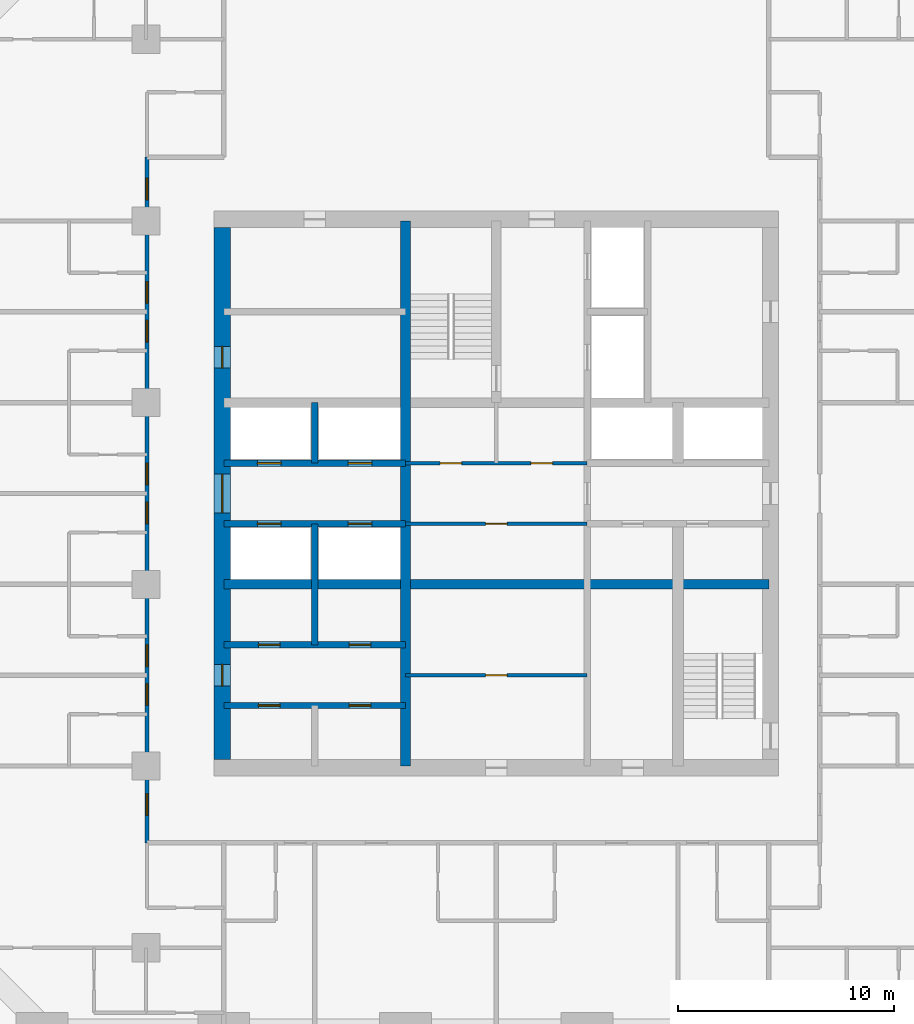
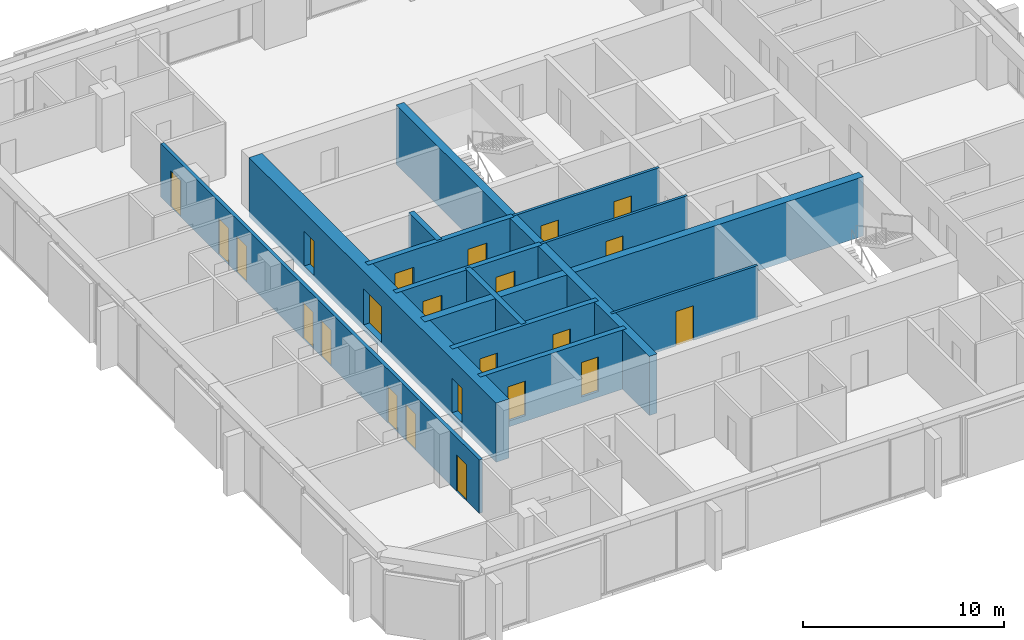
# One storey, part 9 of 13: 23 doors, 13 walls, 23 openings.
"""IFC4 building model written with IfcOpenShell, lengths in metres."""

import ifcopenshell
import ifcopenshell.guid

model = None  # the IFC model being written
_history = None  # IfcOwnerHistory: only IFC2X3 demands one
_inside = {}  # id of a spatial element -> (the spatial element, [elements in it])
_under = {}  # id of a project, library or spatial element -> (it, [spatial elements below it])
_declared = {}  # id of a project -> (the project, [libraries it declares])
_typed = {}  # id of a type object -> (the type object, [elements of that type])
_made_of = {}  # id of a material, layer set ... -> (it, [elements and type objects made of it])


def new_model(schema):
    """Start an empty IFC model of exactly this schema.

    Asked for "IFC4X3", IfcOpenShell would pick the latest addendum, in which some entities
    have other attributes; the version numbers below select the first issue.
    IFC2X3 requires an IfcOwnerHistory on every rooted entity: one is made here for all.
    """
    global model, _history
    if schema == "IFC4X3":
        model = ifcopenshell.file(schema_version=(4, 3, 0, 0))
    else:
        model = ifcopenshell.file(schema=schema)
    _inside.clear()
    _under.clear()
    _declared.clear()
    _typed.clear()
    _made_of.clear()
    _history = None
    if model.schema == "IFC2X3":
        org = make("IfcOrganization", Name="unknown")
        user = make(
            "IfcPersonAndOrganization",
            ThePerson=make("IfcPerson", FamilyName="unknown"),
            TheOrganization=org,
        )
        app = make(
            "IfcApplication",
            ApplicationDeveloper=org,
            Version="unknown",
            ApplicationFullName="unknown",
            ApplicationIdentifier="unknown",
        )
        _history = make(
            "IfcOwnerHistory",
            OwningUser=user,
            OwningApplication=app,
            ChangeAction="ADDED",
            CreationDate=0,
        )
    return model


def make(cls, **values):
    """One entity of the class cls with the attributes given. An attribute that is None is left unset."""
    return model.create_entity(
        cls, **{name: value for name, value in values.items() if value is not None}
    )


def rooted(cls, **values):
    """An entity with a GlobalId (a new one), such as an element, a storey or a relation."""
    return make(cls, GlobalId=ifcopenshell.guid.new(), OwnerHistory=_history, **values)


def si_unit(unit_type, name, prefix=None):
    """IfcSIUnit, for example si_unit("LENGTHUNIT", "METRE", prefix="MILLI")."""
    return make("IfcSIUnit", UnitType=unit_type, Prefix=prefix, Name=name)


def assignment(units):
    """IfcUnitAssignment: the units of a project."""
    return None if units is None else make("IfcUnitAssignment", Units=units)


def point(xyz):
    """IfcCartesianPoint."""
    return None if xyz is None else make("IfcCartesianPoint", Coordinates=xyz)


def direction(xyz):
    """IfcDirection."""
    return None if xyz is None else make("IfcDirection", DirectionRatios=xyz)


def frame(location, z_axis=None, x_axis=None):
    """IfcAxis2Placement3D, a coordinate frame: its origin and axes. An axis left out is left unset."""
    return make(
        "IfcAxis2Placement3D",
        Location=point(location),
        Axis=direction(z_axis),
        RefDirection=direction(x_axis),
    )


def frame_2d(location, x_axis=None):
    """IfcAxis2Placement2D, a coordinate frame in the plane: its origin and x axis."""
    return make(
        "IfcAxis2Placement2D", Location=point(location), RefDirection=direction(x_axis)
    )


def origin():
    """The frame at (0, 0, 0) with its axes left unset."""
    return frame((0.0, 0.0, 0.0))


def place(relative_to, where):
    """IfcLocalPlacement: puts the frame where relative to a parent placement (None: the world)."""
    return make(
        "IfcLocalPlacement", PlacementRelTo=relative_to, RelativePlacement=where
    )


def context(
    kind, dimensions, precision=None, world=None, true_north=None, identifier=None
):
    """IfcGeometricRepresentationContext, for example the 3D "Model" context."""
    return make(
        "IfcGeometricRepresentationContext",
        ContextIdentifier=identifier,
        ContextType=kind,
        CoordinateSpaceDimension=dimensions,
        Precision=precision,
        WorldCoordinateSystem=world,
        TrueNorth=true_north,
    )


def subcontext(parent, identifier, kind, view, scale=None):
    """IfcGeometricRepresentationSubContext, for example "Body" below "Model"."""
    return make(
        "IfcGeometricRepresentationSubContext",
        ContextIdentifier=identifier,
        ContextType=kind,
        ParentContext=parent,
        TargetScale=scale,
        TargetView=view,
    )


def project(units=None, contexts=None):
    """IfcProject with its units and contexts."""
    return rooted(
        "IfcProject",
        Name="project",
        RepresentationContexts=contexts,
        UnitsInContext=assignment(units),
    )


def spatial(cls, under=None, at=None, **own):
    """A site, building, storey or space (cls), placed at a placement, below another one or the project."""
    s = rooted(cls, ObjectPlacement=at, **own)
    if under is not None:
        _under.setdefault(under.id(), (under, []))[1].append(s)
    return s


def profile(cls, at=None, kind="AREA", **sizes):
    """A parametric profile (cls). Its sizes go by their IFC names, for example OverallWidth=200.0."""
    return make(cls, ProfileType=kind, Position=at, **sizes)


def rectangle(**sizes):
    """IfcRectangleProfileDef."""
    return profile("IfcRectangleProfileDef", **sizes)


def extrude(swept, where, along, depth):
    """IfcExtrudedAreaSolid: the profile swept, set in the frame where, extruded along a direction by depth."""
    return make(
        "IfcExtrudedAreaSolid",
        SweptArea=swept,
        Position=where,
        ExtrudedDirection=direction(along),
        Depth=depth,
    )


def shape(context_of_items, identifier, shape_type, items):
    """IfcShapeRepresentation: the items that make up one representation, for example the "Body"."""
    return make(
        "IfcShapeRepresentation",
        ContextOfItems=context_of_items,
        RepresentationIdentifier=identifier,
        RepresentationType=shape_type,
        Items=items,
    )


def material(Name=None, Category=None):
    """IfcMaterial."""
    return make("IfcMaterial", Name=Name, Category=Category)


def layer(
    of_material, thickness, ventilated=None, Name=None, Category=None, Priority=None
):
    """IfcMaterialLayer: one layer of a wall or slab, of a material (None: an air gap)."""
    return make(
        "IfcMaterialLayer",
        Material=of_material,
        LayerThickness=thickness,
        IsVentilated=ventilated,
        Name=Name,
        Category=Category,
        Priority=Priority,
    )


def layer_set(layers, Name=None):
    """IfcMaterialLayerSet."""
    return make("IfcMaterialLayerSet", MaterialLayers=layers, LayerSetName=Name)


def made_of(thing, what):
    """Note that an element or type object is made of a material, layer set ...; save() writes the relation."""
    if what is not None:
        _made_of.setdefault(what.id(), (what, []))[1].append(thing)
    return thing


def type_object(cls, material=None, **own):
    """A type object (cls), such as IfcWallType, which elements share."""
    return made_of(rooted(cls, **own), material)


def element(
    cls,
    number,
    at=None,
    inside=None,
    cuts=None,
    type_object=None,
    material=None,
    context=None,
    identifier="Body",
    shape_type=None,
    held_by="IfcProductDefinitionShape",
    body=None,
    shapes=None,
    **own,
):
    """One element of the class cls, such as IfcWall. Its Tag is "e" and its number.

    at: its placement. inside: the storey or other place that contains it. cuts: it is an
    opening in that element (IfcRelVoidsElement). A single representation is given by context,
    identifier, shape_type and body (its items); several are given by shapes. held_by: the class
    of the entity that holds the representations. save() writes the other relations.
    """
    e = rooted(cls, Tag="e%d" % number, ObjectPlacement=at, **own)
    if body is not None:
        shapes = [shape(context, identifier, shape_type, body)]
    if shapes is not None:
        e.Representation = make(held_by, Representations=shapes)
    if inside is not None:
        _inside.setdefault(inside.id(), (inside, []))[1].append(e)
    if cuts is not None:
        rooted(
            "IfcRelVoidsElement", RelatingBuildingElement=cuts, RelatedOpeningElement=e
        )
    if type_object is not None:
        _typed.setdefault(type_object.id(), (type_object, []))[1].append(e)
    return made_of(e, material)


def fill(opening, filler):
    """IfcRelFillsElement: the door or window that sits in an opening."""
    return rooted(
        "IfcRelFillsElement",
        RelatingOpeningElement=opening,
        RelatedBuildingElement=filler,
    )


def aggregate(whole, parts):
    """IfcRelAggregates: a whole, such as a stair, and the parts it consists of."""
    return rooted("IfcRelAggregates", RelatingObject=whole, RelatedObjects=parts)


def save(model, path):
    """Write the relations noted so far, then the file.

    IfcRelAggregates (storeys below a building ...), IfcRelContainedInSpatialStructure (elements
    in a storey), IfcRelDefinesByType, IfcRelAssociatesMaterial and IfcRelDeclares: one each for
    every whole, place, type object, material and project.
    """
    for whole, parts in _under.values():
        aggregate(whole, parts)
    for where, things in _inside.values():
        rooted(
            "IfcRelContainedInSpatialStructure",
            RelatedElements=things,
            RelatingStructure=where,
        )
    for kind, things in _typed.values():
        rooted("IfcRelDefinesByType", RelatedObjects=things, RelatingType=kind)
    for what, things in _made_of.values():
        rooted("IfcRelAssociatesMaterial", RelatedObjects=things, RelatingMaterial=what)
    for by, libraries in _declared.values():
        rooted("IfcRelDeclares", RelatingContext=by, RelatedDefinitions=libraries)
    model.write(path)


model = new_model("IFC4")

# Units and contexts
model_context = context("Model", 3, precision=1e-05, world=origin(), true_north=direction((0.0, 1.0)))
body_context = subcontext(model_context, "Body", "Model", "MODEL_VIEW")
ifc_project = project(units=[si_unit("LENGTHUNIT", "METRE"), si_unit("AREAUNIT", "SQUARE_METRE"), si_unit("VOLUMEUNIT", "CUBIC_METRE"), si_unit("PLANEANGLEUNIT", "RADIAN"), si_unit("MASSUNIT", "GRAM", prefix="KILO")], contexts=[model_context])

# Site, building, storey
site_placement = place(None, origin())
site = spatial("IfcSite", under=ifc_project, at=site_placement, CompositionType="ELEMENT")
building_placement = place(site_placement, origin())
building = spatial("IfcBuilding", under=site, at=building_placement, Name="Dunama Terrace Hotel", CompositionType="ELEMENT")
storey_placement = place(building_placement, frame((0.0, 0.0, 169.800048828125)))
storey = spatial("IfcBuildingStorey", under=building, at=storey_placement, Name="L43", CompositionType="ELEMENT", Elevation=169.800048828125)

# Walls
ifc_material_1 = material(Name="Concrete C50/60", Category="concrete")
ifc_layer_1 = layer(ifc_material_1, 0.300048828125)
ifc_layer_set_1 = layer_set([ifc_layer_1], Name="Core inner wall 300")
wall_type_1 = type_object("IfcWallType", Name="Core inner wall 300", PredefinedType="SHEAR", material=ifc_layer_set_1)
wall_1_placement = place(storey_placement, frame((21.0, 22.39990234375, -0.35009765625), z_axis=(0.0, 0.0, 1.0), x_axis=(0.0, 1.0, 0.0)))
element("IfcWall", 1, at=wall_1_placement, inside=storey, type_object=wall_type_1, Name="Core inner wall 300 L43", PredefinedType="SHEAR", context=body_context, shape_type="SweptSolid", body=[
    extrude(rectangle(XDim=5.60009765625, YDim=0.300048828125, at=frame_2d((2.800048828125, 0.0))), origin(), (0.0, 0.0, 1.0), 3.60009765625),
])
wall_2_placement = place(storey_placement, frame((21.0, 30.800048828125, -0.35009765625), z_axis=(0.0, 0.0, 1.0), x_axis=(0.0, 1.0, 0.0)))
element("IfcWall", 2, at=wall_2_placement, inside=storey, type_object=wall_type_1, Name="Core inner wall 300 L43", PredefinedType="SHEAR", context=body_context, shape_type="SweptSolid", body=[
    extrude(rectangle(XDim=2.800048828125, YDim=0.300048828125, at=frame_2d((1.39990234375, 0.0))), origin(), (0.0, 0.0, 1.0), 3.60009765625),
])

# Wall, openings, doors
wall_3_placement = place(storey_placement, frame((16.800048828125, 19.60009765625, -0.35009765625), z_axis=(0.0, 0.0, 1.0), x_axis=(1.0, 0.0, 0.0)))
wall_3 = element("IfcWall", 3, at=wall_3_placement, inside=storey, type_object=wall_type_1, Name="Core inner wall 300 L43", PredefinedType="SHEAR", context=body_context, shape_type="SweptSolid", body=[
    extrude(rectangle(XDim=8.39990234375, YDim=0.300048828125, at=frame_2d((4.199951171875, 0.0))), origin(), (0.0, 0.0, 1.0), 3.60009765625),
])
opening_1_placement = place(wall_3_placement, frame((1.60009765625, 0.0, 0.35009765625)))
opening_1 = element("IfcOpeningElement", 4, at=opening_1_placement, cuts=wall_3, Name="Opening L42-44-059", PredefinedType="OPENING", context=body_context, shape_type="SweptSolid", body=[
    extrude(rectangle(XDim=1.0, YDim=2.10009765625, at=frame_2d((0.5, 1.050048828125))), frame((0.0, 0.159912109375, 0.0), z_axis=(0.0, -1.0, 0.0), x_axis=(1.0, 0.0, 0.0)), (0.0, 0.0, 1.0), 0.320068359375),
])
opening_2_placement = place(wall_3_placement, frame((5.800048828125, 0.0, 0.35009765625)))
opening_2 = element("IfcOpeningElement", 5, at=opening_2_placement, cuts=wall_3, Name="Opening L42-44-060", PredefinedType="OPENING", context=body_context, shape_type="SweptSolid", body=[
    extrude(rectangle(XDim=1.0, YDim=2.10009765625, at=frame_2d((0.5, 1.050048828125))), frame((0.0, 0.159912109375, 0.0), z_axis=(0.0, -1.0, 0.0), x_axis=(1.0, 0.0, 0.0)), (0.0, 0.0, 1.0), 0.320068359375),
])
ifc_material_2 = material(Name="Timber door with steel frame", Category="steel")
door_type_1 = type_object("IfcDoorType", Name="Service door 1000", OperationType="SINGLE_SWING_LEFT", PredefinedType="DOOR", material=ifc_material_2)
door_1_placement = place(opening_1_placement, frame((1.0, 0.0, 0.0), z_axis=(0.0, 0.0, 1.0), x_axis=(-1.0, 0.0, 0.0)))
door_1 = element("IfcDoor", 6, at=door_1_placement, inside=storey, type_object=door_type_1, Name="Door to service riser L42-44-059, type D7", OperationType="SINGLE_SWING_RIGHT", OverallHeight=2.10009765625, OverallWidth=1.0, PredefinedType="DOOR", context=body_context, shape_type="SweptSolid", body=[
    extrude(rectangle(XDim=1.0, YDim=2.10009765625, at=frame_2d((0.5, 1.050048828125))), frame((0.0, 0.025146484375, 0.0), z_axis=(0.0, -1.0, 0.0), x_axis=(1.0, 0.0, 0.0)), (0.0, 0.0, 1.0), 0.050048828125),
])
fill(opening_1, door_1)
door_2_placement = place(opening_2_placement, frame((1.0, 0.0, 0.0), z_axis=(0.0, 0.0, 1.0), x_axis=(-1.0, 0.0, 0.0)))
door_2 = element("IfcDoor", 7, at=door_2_placement, inside=storey, type_object=door_type_1, Name="Door to it room L42-44-060, type D7", OperationType="SINGLE_SWING_LEFT", OverallHeight=2.10009765625, OverallWidth=1.0, PredefinedType="DOOR", context=body_context, shape_type="SweptSolid", body=[
    extrude(rectangle(XDim=1.0, YDim=2.10009765625, at=frame_2d((0.5, 1.050048828125))), frame((0.0, 0.025146484375, 0.0), z_axis=(0.0, -1.0, 0.0), x_axis=(1.0, 0.0, 0.0)), (0.0, 0.0, 1.0), 0.050048828125),
])
fill(opening_2, door_2)

wall_4_placement = place(storey_placement, frame((16.800048828125, 22.39990234375, -0.35009765625), z_axis=(0.0, 0.0, 1.0), x_axis=(1.0, 0.0, 0.0)))
wall_4 = element("IfcWall", 8, at=wall_4_placement, inside=storey, type_object=wall_type_1, Name="Core inner wall 300 L43", PredefinedType="SHEAR", context=body_context, shape_type="SweptSolid", body=[
    extrude(rectangle(XDim=8.39990234375, YDim=0.300048828125, at=frame_2d((4.199951171875, 0.0))), origin(), (0.0, 0.0, 1.0), 3.60009765625),
])
opening_3_placement = place(wall_4_placement, frame((1.60009765625, 0.0, 0.35009765625)))
opening_3 = element("IfcOpeningElement", 9, at=opening_3_placement, cuts=wall_4, Name="Opening L42-44-061", PredefinedType="OPENING", context=body_context, shape_type="SweptSolid", body=[
    extrude(rectangle(XDim=1.0, YDim=2.10009765625, at=frame_2d((0.5, 1.050048828125))), frame((0.0, 0.159912109375, 0.0), z_axis=(0.0, -1.0, 0.0), x_axis=(1.0, 0.0, 0.0)), (0.0, 0.0, 1.0), 0.320068359375),
])
opening_4_placement = place(wall_4_placement, frame((5.800048828125, 0.0, 0.35009765625)))
opening_4 = element("IfcOpeningElement", 10, at=opening_4_placement, cuts=wall_4, Name="Opening L42-44-062", PredefinedType="OPENING", context=body_context, shape_type="SweptSolid", body=[
    extrude(rectangle(XDim=1.0, YDim=2.10009765625, at=frame_2d((0.5, 1.050048828125))), frame((0.0, 0.159912109375, 0.0), z_axis=(0.0, -1.0, 0.0), x_axis=(1.0, 0.0, 0.0)), (0.0, 0.0, 1.0), 0.320068359375),
])
door_3_placement = place(opening_3_placement, origin())
door_3 = element("IfcDoor", 11, at=door_3_placement, inside=storey, type_object=door_type_1, Name="Door to cleaners store L42-44-061, type D7", OperationType="SINGLE_SWING_LEFT", OverallHeight=2.10009765625, OverallWidth=1.0, PredefinedType="DOOR", context=body_context, shape_type="SweptSolid", body=[
    extrude(rectangle(XDim=1.0, YDim=2.10009765625, at=frame_2d((0.5, 1.050048828125))), frame((0.0, 0.02490234375, 0.0), z_axis=(0.0, -1.0, 0.0), x_axis=(1.0, 0.0, 0.0)), (0.0, 0.0, 1.0), 0.050048828125),
])
fill(opening_3, door_3)
door_4_placement = place(opening_4_placement, origin())
door_4 = element("IfcDoor", 12, at=door_4_placement, inside=storey, type_object=door_type_1, Name="Door to staff accessible wc L42-44-062, type D7", OperationType="SINGLE_SWING_RIGHT", OverallHeight=2.10009765625, OverallWidth=1.0, PredefinedType="DOOR", context=body_context, shape_type="SweptSolid", body=[
    extrude(rectangle(XDim=1.0, YDim=2.10009765625, at=frame_2d((0.5, 1.050048828125))), frame((0.0, 0.02490234375, 0.0), z_axis=(0.0, -1.0, 0.0), x_axis=(1.0, 0.0, 0.0)), (0.0, 0.0, 1.0), 0.050048828125),
])
fill(opening_4, door_4)

wall_5_placement = place(storey_placement, frame((16.800048828125, 28.0, -0.35009765625), z_axis=(0.0, 0.0, 1.0), x_axis=(1.0, 0.0, 0.0)))
wall_5 = element("IfcWall", 13, at=wall_5_placement, inside=storey, type_object=wall_type_1, Name="Core inner wall 300 L43", PredefinedType="SHEAR", context=body_context, shape_type="SweptSolid", body=[
    extrude(rectangle(XDim=8.39990234375, YDim=0.300048828125, at=frame_2d((4.199951171875, 0.0))), origin(), (0.0, 0.0, 1.0), 3.60009765625),
])
opening_5_placement = place(wall_5_placement, frame((1.550048828125, 0.0, 0.35009765625)))
opening_5 = element("IfcOpeningElement", 14, at=opening_5_placement, cuts=wall_5, Name="Opening L42-44-003", PredefinedType="OPENING", context=body_context, shape_type="SweptSolid", body=[
    extrude(rectangle(XDim=1.10009765625, YDim=2.199951171875, at=frame_2d((0.550048828125, 1.10009765625))), frame((0.0, 0.159912109375, 0.0), z_axis=(0.0, -1.0, 0.0), x_axis=(1.0, 0.0, 0.0)), (0.0, 0.0, 1.0), 0.320068359375),
])
opening_6_placement = place(wall_5_placement, frame((5.75, 0.0, 0.35009765625)))
opening_6 = element("IfcOpeningElement", 15, at=opening_6_placement, cuts=wall_5, Name="Opening L42-44-004", PredefinedType="OPENING", context=body_context, shape_type="SweptSolid", body=[
    extrude(rectangle(XDim=1.10009765625, YDim=2.199951171875, at=frame_2d((0.550048828125, 1.10009765625))), frame((0.0, 0.159912109375, 0.0), z_axis=(0.0, -1.0, 0.0), x_axis=(1.0, 0.0, 0.0)), (0.0, 0.0, 1.0), 0.320068359375),
])
ifc_material_3 = material(Name="Stainless steel lift door", Category="steel")
door_type_2 = type_object("IfcDoorType", Name="Lift landing door 1100", OperationType="DOUBLE_DOOR_SLIDING", PredefinedType="DOOR", material=ifc_material_3)
door_5_placement = place(opening_5_placement, origin())
door_5 = element("IfcDoor", 16, at=door_5_placement, inside=storey, type_object=door_type_2, Name="Landing door PC1 L42-44-003, type LD1", OperationType="DOUBLE_DOOR_SLIDING", OverallHeight=2.199951171875, OverallWidth=1.10009765625, PredefinedType="DOOR", context=body_context, shape_type="SweptSolid", body=[
    extrude(rectangle(XDim=1.10009765625, YDim=2.199951171875, at=frame_2d((0.550048828125, 1.10009765625))), frame((0.0, 0.02490234375, 0.0), z_axis=(0.0, -1.0, 0.0), x_axis=(1.0, 0.0, 0.0)), (0.0, 0.0, 1.0), 0.050048828125),
])
fill(opening_5, door_5)
door_6_placement = place(opening_6_placement, origin())
door_6 = element("IfcDoor", 17, at=door_6_placement, inside=storey, type_object=door_type_2, Name="Landing door PC2 L42-44-004, type LD1", OperationType="DOUBLE_DOOR_SLIDING", OverallHeight=2.199951171875, OverallWidth=1.10009765625, PredefinedType="DOOR", context=body_context, shape_type="SweptSolid", body=[
    extrude(rectangle(XDim=1.10009765625, YDim=2.199951171875, at=frame_2d((0.550048828125, 1.10009765625))), frame((0.0, 0.02490234375, 0.0), z_axis=(0.0, -1.0, 0.0), x_axis=(1.0, 0.0, 0.0)), (0.0, 0.0, 1.0), 0.050048828125),
])
fill(opening_6, door_6)

wall_6_placement = place(storey_placement, frame((16.800048828125, 30.800048828125, -0.35009765625), z_axis=(0.0, 0.0, 1.0), x_axis=(1.0, 0.0, 0.0)))
wall_6 = element("IfcWall", 18, at=wall_6_placement, inside=storey, type_object=wall_type_1, Name="Core inner wall 300 L43", PredefinedType="SHEAR", context=body_context, shape_type="SweptSolid", body=[
    extrude(rectangle(XDim=8.39990234375, YDim=0.300048828125, at=frame_2d((4.199951171875, 0.0))), origin(), (0.0, 0.0, 1.0), 3.60009765625),
])
opening_7_placement = place(wall_6_placement, frame((1.550048828125, 0.0, 0.35009765625)))
opening_7 = element("IfcOpeningElement", 19, at=opening_7_placement, cuts=wall_6, Name="Opening L42-44-005", PredefinedType="OPENING", context=body_context, shape_type="SweptSolid", body=[
    extrude(rectangle(XDim=1.10009765625, YDim=2.199951171875, at=frame_2d((0.550048828125, 1.10009765625))), frame((0.0, 0.159912109375, 0.0), z_axis=(0.0, -1.0, 0.0), x_axis=(1.0, 0.0, 0.0)), (0.0, 0.0, 1.0), 0.320068359375),
])
opening_8_placement = place(wall_6_placement, frame((5.75, 0.0, 0.35009765625)))
opening_8 = element("IfcOpeningElement", 20, at=opening_8_placement, cuts=wall_6, Name="Opening L42-44-006", PredefinedType="OPENING", context=body_context, shape_type="SweptSolid", body=[
    extrude(rectangle(XDim=1.10009765625, YDim=2.199951171875, at=frame_2d((0.550048828125, 1.10009765625))), frame((0.0, 0.159912109375, 0.0), z_axis=(0.0, -1.0, 0.0), x_axis=(1.0, 0.0, 0.0)), (0.0, 0.0, 1.0), 0.320068359375),
])
door_7_placement = place(opening_7_placement, origin())
door_7 = element("IfcDoor", 21, at=door_7_placement, inside=storey, type_object=door_type_2, Name="Landing door PC3 L42-44-005, type LD1", OperationType="DOUBLE_DOOR_SLIDING", OverallHeight=2.199951171875, OverallWidth=1.10009765625, PredefinedType="DOOR", context=body_context, shape_type="SweptSolid", body=[
    extrude(rectangle(XDim=1.10009765625, YDim=2.199951171875, at=frame_2d((0.550048828125, 1.10009765625))), frame((0.0, 0.02490234375, 0.0), z_axis=(0.0, -1.0, 0.0), x_axis=(1.0, 0.0, 0.0)), (0.0, 0.0, 1.0), 0.050048828125),
])
fill(opening_7, door_7)
door_8_placement = place(opening_8_placement, origin())
door_8 = element("IfcDoor", 22, at=door_8_placement, inside=storey, type_object=door_type_2, Name="Landing door PC4 L42-44-006, type LD1", OperationType="DOUBLE_DOOR_SLIDING", OverallHeight=2.199951171875, OverallWidth=1.10009765625, PredefinedType="DOOR", context=body_context, shape_type="SweptSolid", body=[
    extrude(rectangle(XDim=1.10009765625, YDim=2.199951171875, at=frame_2d((0.550048828125, 1.10009765625))), frame((0.0, 0.02490234375, 0.0), z_axis=(0.0, -1.0, 0.0), x_axis=(1.0, 0.0, 0.0)), (0.0, 0.0, 1.0), 0.050048828125),
])
fill(opening_8, door_8)

# Walls
ifc_material_4 = material(Name="Concrete C50/60", Category="concrete")
ifc_layer_2 = layer(ifc_material_4, 0.449951171875)
ifc_layer_set_2 = layer_set([ifc_layer_2], Name="Core inner wall 450")
wall_type_2 = type_object("IfcWallType", Name="Core inner wall 450", PredefinedType="SHEAR", material=ifc_layer_set_2)
for number, where, z_axis, x_axis, name in (
    (23, (25.199951171875, 16.800048828125, -0.35009765625), (0.0, 0.0, 1.0), (0.0, 1.0, 0.0), "Core inner wall 450 L43"),
    (24, (16.800048828125, 25.199951171875, -0.35009765625), (0.0, 0.0, 1.0), (1.0, 0.0, 0.0), "Core inner wall 450 L43"),
):
    element("IfcWall", number, at=place(storey_placement, frame(where, z_axis=z_axis, x_axis=x_axis)), inside=storey, type_object=wall_type_2, Name=name, PredefinedType="SHEAR", context=body_context, shape_type="SweptSolid", body=[
        extrude(rectangle(XDim=25.199951171875, YDim=0.449951171875, at=frame_2d((12.60009765625, 0.0))), origin(), (0.0, 0.0, 1.0), 3.60009765625),
    ])

# Wall, openings, doors
ifc_material_5 = material(Name="Concrete C60/75", Category="concrete")
ifc_layer_3 = layer(ifc_material_5, 0.75)
ifc_layer_set_3 = layer_set([ifc_layer_3], Name="Core wall 750")
wall_type_3 = type_object("IfcWallType", Name="Core wall 750", PredefinedType="SHEAR", material=ifc_layer_set_3)
wall_7_placement = place(storey_placement, frame((16.72509765625, 41.699951171875, -0.35009765625), z_axis=(0.0, 0.0, 1.0), x_axis=(0.0, -1.0, 0.0)))
wall_7 = element("IfcWall", 25, at=wall_7_placement, inside=storey, type_object=wall_type_3, Name="Core wall west L43", PredefinedType="SHEAR", context=body_context, shape_type="SweptSolid", body=[
    extrude(rectangle(XDim=24.599853515625, YDim=0.75, at=frame_2d((12.2998046875, 0.0))), origin(), (0.0, 0.0, 1.0), 3.60009765625),
])
opening_9_placement = place(wall_7_placement, frame((11.39990234375, 0.0, 0.35009765625)))
opening_9 = element("IfcOpeningElement", 26, at=opening_9_placement, cuts=wall_7, Name="Opening L42-44-058", PredefinedType="OPENING", context=body_context, shape_type="SweptSolid", body=[
    extrude(rectangle(XDim=1.800048828125, YDim=2.199951171875, at=frame_2d((0.89990234375, 1.10009765625))), frame((0.0, 0.385009765625, 0.0), z_axis=(0.0, -1.0, 0.0), x_axis=(1.0, 0.0, 0.0)), (0.0, 0.0, 1.0), 0.77001953125),
])
opening_10_placement = place(wall_7_placement, frame((20.199951171875, 0.0, 0.35009765625)))
opening_10 = element("IfcOpeningElement", 27, at=opening_10_placement, cuts=wall_7, Name="Opening L42-44-063", PredefinedType="OPENING", context=body_context, shape_type="SweptSolid", body=[
    extrude(rectangle(XDim=1.0, YDim=2.10009765625, at=frame_2d((0.5, 1.050048828125))), frame((0.0, 0.385009765625, 0.0), z_axis=(0.0, -1.0, 0.0), x_axis=(1.0, 0.0, 0.0)), (0.0, 0.0, 1.0), 0.77001953125),
])
opening_11_placement = place(wall_7_placement, frame((5.5, 0.0, 0.35009765625)))
opening_11 = element("IfcOpeningElement", 28, at=opening_11_placement, cuts=wall_7, Name="Opening L42-44-064", PredefinedType="OPENING", context=body_context, shape_type="SweptSolid", body=[
    extrude(rectangle(XDim=1.0, YDim=2.10009765625, at=frame_2d((0.5, 1.050048828125))), frame((0.0, 0.385009765625, 0.0), z_axis=(0.0, -1.0, 0.0), x_axis=(1.0, 0.0, 0.0)), (0.0, 0.0, 1.0), 0.77001953125),
])
ifc_material_6 = material(Name="Timber door with steel frame", Category="steel")
door_type_3 = type_object("IfcDoorType", Name="Lift lobby double door 1800", OperationType="DOUBLE_DOOR_DOUBLE_SWING", PredefinedType="DOOR", material=ifc_material_6)
door_9_placement = place(opening_9_placement, origin())
door_9 = element("IfcDoor", 29, at=door_9_placement, inside=storey, type_object=door_type_3, Name="Door to lift lobby L42-44-058, type D3", OperationType="DOUBLE_DOOR_DOUBLE_SWING", OverallHeight=2.199951171875, OverallWidth=1.800048828125, PredefinedType="DOOR", context=body_context, shape_type="SweptSolid", body=[
    extrude(rectangle(XDim=1.800048828125, YDim=2.199951171875, at=frame_2d((0.89990234375, 1.10009765625))), frame((0.0, 0.02490234375, 0.0), z_axis=(0.0, -1.0, 0.0), x_axis=(1.0, 0.0, 0.0)), (0.0, 0.0, 1.0), 0.050048828125),
])
fill(opening_9, door_9)
door_10_placement = place(opening_10_placement, origin())
door_10 = element("IfcDoor", 30, at=door_10_placement, inside=storey, type_object=door_type_1, Name="Door to back-of-house lobby L42-44-063, type D7", OperationType="SINGLE_SWING_LEFT", OverallHeight=2.10009765625, OverallWidth=1.0, PredefinedType="DOOR", context=body_context, shape_type="SweptSolid", body=[
    extrude(rectangle(XDim=1.0, YDim=2.10009765625, at=frame_2d((0.5, 1.050048828125))), frame((0.0, 0.02490234375, 0.0), z_axis=(0.0, -1.0, 0.0), x_axis=(1.0, 0.0, 0.0)), (0.0, 0.0, 1.0), 0.050048828125),
])
fill(opening_10, door_10)
door_11_placement = place(opening_11_placement, origin())
door_11 = element("IfcDoor", 31, at=door_11_placement, inside=storey, type_object=door_type_1, Name="Door to electrical room L42-44-064, type D7", OperationType="SINGLE_SWING_RIGHT", OverallHeight=2.10009765625, OverallWidth=1.0, PredefinedType="DOOR", context=body_context, shape_type="SweptSolid", body=[
    extrude(rectangle(XDim=1.0, YDim=2.10009765625, at=frame_2d((0.5, 1.050048828125))), frame((0.0, 0.02490234375, 0.0), z_axis=(0.0, -1.0, 0.0), x_axis=(1.0, 0.0, 0.0)), (0.0, 0.0, 1.0), 0.050048828125),
])
fill(opening_11, door_11)

ifc_material_7 = material(Name="Concrete blockwork", Category="masonry")
ifc_layer_4 = layer(ifc_material_7, 0.199951171875)
ifc_layer_set_4 = layer_set([ifc_layer_4], Name="Corridor partition 200")
wall_type_4 = type_object("IfcWallType", Name="Corridor partition 200", PredefinedType="PARTITIONING", material=ifc_layer_set_4)
wall_8_placement = place(storey_placement, frame((13.25, 13.25, 0.0), z_axis=(0.0, 0.0, 1.0), x_axis=(0.0, 1.0, 0.0)))
wall_8 = element("IfcWall", 32, at=wall_8_placement, inside=storey, type_object=wall_type_4, Name="Corridor partition 200 L43", PredefinedType="PARTITIONING", context=body_context, shape_type="SweptSolid", body=[
    extrude(rectangle(XDim=31.699951171875, YDim=0.199951171875, at=frame_2d((15.85009765625, 0.0))), origin(), (0.0, 0.0, 1.0), 3.25),
])
opening_12_placement = place(wall_8_placement, frame((6.35009765625, 0.0, 0.0)))
opening_12 = element("IfcOpeningElement", 33, at=opening_12_placement, cuts=wall_8, Name="Opening L42-44-026", PredefinedType="OPENING", context=body_context, shape_type="SweptSolid", body=[
    extrude(rectangle(XDim=1.0, YDim=2.199951171875, at=frame_2d((0.5, 1.10009765625))), frame((0.0, 0.10986328125, 0.0), z_axis=(0.0, -1.0, 0.0), x_axis=(1.0, 0.0, 0.0)), (0.0, 0.0, 1.0), 0.219970703125),
])
opening_13_placement = place(wall_8_placement, frame((8.14990234375, 0.0, 0.0)))
opening_13 = element("IfcOpeningElement", 34, at=opening_13_placement, cuts=wall_8, Name="Opening L42-44-028", PredefinedType="OPENING", context=body_context, shape_type="SweptSolid", body=[
    extrude(rectangle(XDim=1.0, YDim=2.199951171875, at=frame_2d((0.5, 1.10009765625))), frame((0.0, 0.10986328125, 0.0), z_axis=(0.0, -1.0, 0.0), x_axis=(1.0, 0.0, 0.0)), (0.0, 0.0, 1.0), 0.219970703125),
])
opening_14_placement = place(wall_8_placement, frame((14.75, 0.0, 0.0)))
opening_14 = element("IfcOpeningElement", 35, at=opening_14_placement, cuts=wall_8, Name="Opening L42-44-030", PredefinedType="OPENING", context=body_context, shape_type="SweptSolid", body=[
    extrude(rectangle(XDim=1.0, YDim=2.199951171875, at=frame_2d((0.5, 1.10009765625))), frame((0.0, 0.10986328125, 0.0), z_axis=(0.0, -1.0, 0.0), x_axis=(1.0, 0.0, 0.0)), (0.0, 0.0, 1.0), 0.219970703125),
])
opening_15_placement = place(wall_8_placement, frame((16.550048828125, 0.0, 0.0)))
opening_15 = element("IfcOpeningElement", 36, at=opening_15_placement, cuts=wall_8, Name="Opening L42-44-032", PredefinedType="OPENING", context=body_context, shape_type="SweptSolid", body=[
    extrude(rectangle(XDim=1.0, YDim=2.199951171875, at=frame_2d((0.5, 1.10009765625))), frame((0.0, 0.10986328125, 0.0), z_axis=(0.0, -1.0, 0.0), x_axis=(1.0, 0.0, 0.0)), (0.0, 0.0, 1.0), 0.219970703125),
])
opening_16_placement = place(wall_8_placement, frame((23.14990234375, 0.0, 0.0)))
opening_16 = element("IfcOpeningElement", 37, at=opening_16_placement, cuts=wall_8, Name="Opening L42-44-034", PredefinedType="OPENING", context=body_context, shape_type="SweptSolid", body=[
    extrude(rectangle(XDim=1.0, YDim=2.199951171875, at=frame_2d((0.5, 1.10009765625))), frame((0.0, 0.10986328125, 0.0), z_axis=(0.0, -1.0, 0.0), x_axis=(1.0, 0.0, 0.0)), (0.0, 0.0, 1.0), 0.219970703125),
])
opening_17_placement = place(wall_8_placement, frame((24.949951171875, 0.0, 0.0)))
opening_17 = element("IfcOpeningElement", 38, at=opening_17_placement, cuts=wall_8, Name="Opening L42-44-036", PredefinedType="OPENING", context=body_context, shape_type="SweptSolid", body=[
    extrude(rectangle(XDim=1.0, YDim=2.199951171875, at=frame_2d((0.5, 1.10009765625))), frame((0.0, 0.10986328125, 0.0), z_axis=(0.0, -1.0, 0.0), x_axis=(1.0, 0.0, 0.0)), (0.0, 0.0, 1.0), 0.219970703125),
])
opening_18_placement = place(wall_8_placement, frame((1.27490234375, 0.0, 0.0)))
opening_18 = element("IfcOpeningElement", 39, at=opening_18_placement, cuts=wall_8, Name="Opening L42-44-038", PredefinedType="OPENING", context=body_context, shape_type="SweptSolid", body=[
    extrude(rectangle(XDim=1.0, YDim=2.199951171875, at=frame_2d((0.5, 1.10009765625))), frame((0.0, 0.10986328125, 0.0), z_axis=(0.0, -1.0, 0.0), x_axis=(1.0, 0.0, 0.0)), (0.0, 0.0, 1.0), 0.219970703125),
])
opening_19_placement = place(wall_8_placement, frame((29.72509765625, 0.0, 0.0)))
opening_19 = element("IfcOpeningElement", 40, at=opening_19_placement, cuts=wall_8, Name="Opening L42-44-053", PredefinedType="OPENING", context=body_context, shape_type="SweptSolid", body=[
    extrude(rectangle(XDim=1.0, YDim=2.199951171875, at=frame_2d((0.5, 1.10009765625))), frame((0.0, 0.10986328125, 0.0), z_axis=(0.0, -1.0, 0.0), x_axis=(1.0, 0.0, 0.0)), (0.0, 0.0, 1.0), 0.219970703125),
])
ifc_material_8 = material(Name="Timber door with steel frame", Category="steel")
door_type_4 = type_object("IfcDoorType", Name="Guest room door 1000", OperationType="SINGLE_SWING_LEFT", PredefinedType="DOOR", material=ifc_material_8)
door_12_placement = place(opening_12_placement, origin())
door_12 = element("IfcDoor", 41, at=door_12_placement, inside=storey, type_object=door_type_4, Name="Door to club room L42-44-026, type D1", OperationType="SINGLE_SWING_RIGHT", OverallHeight=2.199951171875, OverallWidth=1.0, PredefinedType="DOOR", context=body_context, shape_type="SweptSolid", body=[
    extrude(rectangle(XDim=1.0, YDim=2.199951171875, at=frame_2d((0.5, 1.10009765625))), frame((0.0, 0.02490234375, 0.0), z_axis=(0.0, -1.0, 0.0), x_axis=(1.0, 0.0, 0.0)), (0.0, 0.0, 1.0), 0.050048828125),
])
fill(opening_12, door_12)
door_13_placement = place(opening_13_placement, origin())
door_13 = element("IfcDoor", 42, at=door_13_placement, inside=storey, type_object=door_type_4, Name="Door to club room L42-44-028, type D1", OperationType="SINGLE_SWING_LEFT", OverallHeight=2.199951171875, OverallWidth=1.0, PredefinedType="DOOR", context=body_context, shape_type="SweptSolid", body=[
    extrude(rectangle(XDim=1.0, YDim=2.199951171875, at=frame_2d((0.5, 1.10009765625))), frame((0.0, 0.02490234375, 0.0), z_axis=(0.0, -1.0, 0.0), x_axis=(1.0, 0.0, 0.0)), (0.0, 0.0, 1.0), 0.050048828125),
])
fill(opening_13, door_13)
door_14_placement = place(opening_14_placement, origin())
door_14 = element("IfcDoor", 43, at=door_14_placement, inside=storey, type_object=door_type_4, Name="Door to club room L42-44-030, type D1", OperationType="SINGLE_SWING_RIGHT", OverallHeight=2.199951171875, OverallWidth=1.0, PredefinedType="DOOR", context=body_context, shape_type="SweptSolid", body=[
    extrude(rectangle(XDim=1.0, YDim=2.199951171875, at=frame_2d((0.5, 1.10009765625))), frame((0.0, 0.02490234375, 0.0), z_axis=(0.0, -1.0, 0.0), x_axis=(1.0, 0.0, 0.0)), (0.0, 0.0, 1.0), 0.050048828125),
])
fill(opening_14, door_14)
door_15_placement = place(opening_15_placement, origin())
door_15 = element("IfcDoor", 44, at=door_15_placement, inside=storey, type_object=door_type_4, Name="Door to club room L42-44-032, type D1", OperationType="SINGLE_SWING_LEFT", OverallHeight=2.199951171875, OverallWidth=1.0, PredefinedType="DOOR", context=body_context, shape_type="SweptSolid", body=[
    extrude(rectangle(XDim=1.0, YDim=2.199951171875, at=frame_2d((0.5, 1.10009765625))), frame((0.0, 0.02490234375, 0.0), z_axis=(0.0, -1.0, 0.0), x_axis=(1.0, 0.0, 0.0)), (0.0, 0.0, 1.0), 0.050048828125),
])
fill(opening_15, door_15)
door_16_placement = place(opening_16_placement, origin())
door_16 = element("IfcDoor", 45, at=door_16_placement, inside=storey, type_object=door_type_4, Name="Door to club room L42-44-034, type D1", OperationType="SINGLE_SWING_RIGHT", OverallHeight=2.199951171875, OverallWidth=1.0, PredefinedType="DOOR", context=body_context, shape_type="SweptSolid", body=[
    extrude(rectangle(XDim=1.0, YDim=2.199951171875, at=frame_2d((0.5, 1.10009765625))), frame((0.0, 0.02490234375, 0.0), z_axis=(0.0, -1.0, 0.0), x_axis=(1.0, 0.0, 0.0)), (0.0, 0.0, 1.0), 0.050048828125),
])
fill(opening_16, door_16)
door_17_placement = place(opening_17_placement, origin())
door_17 = element("IfcDoor", 46, at=door_17_placement, inside=storey, type_object=door_type_4, Name="Door to club room L42-44-036, type D1", OperationType="SINGLE_SWING_LEFT", OverallHeight=2.199951171875, OverallWidth=1.0, PredefinedType="DOOR", context=body_context, shape_type="SweptSolid", body=[
    extrude(rectangle(XDim=1.0, YDim=2.199951171875, at=frame_2d((0.5, 1.10009765625))), frame((0.0, 0.02490234375, 0.0), z_axis=(0.0, -1.0, 0.0), x_axis=(1.0, 0.0, 0.0)), (0.0, 0.0, 1.0), 0.050048828125),
])
fill(opening_17, door_17)
door_18_placement = place(opening_18_placement, origin())
door_18 = element("IfcDoor", 47, at=door_18_placement, inside=storey, type_object=door_type_4, Name="Door to corner suite living room L42-44-038, type D1", OperationType="SINGLE_SWING_RIGHT", OverallHeight=2.199951171875, OverallWidth=1.0, PredefinedType="DOOR", context=body_context, shape_type="SweptSolid", body=[
    extrude(rectangle(XDim=1.0, YDim=2.199951171875, at=frame_2d((0.5, 1.10009765625))), frame((0.0, 0.02490234375, 0.0), z_axis=(0.0, -1.0, 0.0), x_axis=(1.0, 0.0, 0.0)), (0.0, 0.0, 1.0), 0.050048828125),
])
fill(opening_18, door_18)
door_19_placement = place(opening_19_placement, origin())
door_19 = element("IfcDoor", 48, at=door_19_placement, inside=storey, type_object=door_type_4, Name="Door to corner suite living room L42-44-053, type D1", OperationType="SINGLE_SWING_LEFT", OverallHeight=2.199951171875, OverallWidth=1.0, PredefinedType="DOOR", context=body_context, shape_type="SweptSolid", body=[
    extrude(rectangle(XDim=1.0, YDim=2.199951171875, at=frame_2d((0.5, 1.10009765625))), frame((0.0, 0.02490234375, 0.0), z_axis=(0.0, -1.0, 0.0), x_axis=(1.0, 0.0, 0.0)), (0.0, 0.0, 1.0), 0.050048828125),
])
fill(opening_19, door_19)

# Wall, opening, door
ifc_material_9 = material(Name="Gypsum board partition", Category="masonry")
ifc_layer_5 = layer(ifc_material_9, 0.14990234375)
ifc_layer_set_5 = layer_set([ifc_layer_5], Name="Room partition 150")
wall_type_5 = type_object("IfcWallType", Name="Room partition 150", PredefinedType="PARTITIONING", material=ifc_layer_set_5)
wall_9_placement = place(storey_placement, frame((25.199951171875, 21.0, 0.0), z_axis=(0.0, 0.0, 1.0), x_axis=(1.0, 0.0, 0.0)))
wall_9 = element("IfcWall", 49, at=wall_9_placement, inside=storey, type_object=wall_type_5, Name="Room partition 150 L43", PredefinedType="PARTITIONING", context=body_context, shape_type="SweptSolid", body=[
    extrude(rectangle(XDim=8.400146484375, YDim=0.14990234375, at=frame_2d((4.2001953125, 0.0))), origin(), (0.0, 0.0, 1.0), 3.25),
])
opening_20_placement = place(wall_9_placement, frame((3.699951171875, 0.0, 0.0)))
opening_20 = element("IfcOpeningElement", 50, at=opening_20_placement, cuts=wall_9, Name="Opening L42-44-076", PredefinedType="OPENING", context=body_context, shape_type="SweptSolid", body=[
    extrude(rectangle(XDim=1.0, YDim=2.10009765625, at=frame_2d((0.5, 1.050048828125))), frame((0.0, 0.0849609375, 0.0), z_axis=(0.0, -1.0, 0.0), x_axis=(1.0, 0.0, 0.0)), (0.0, 0.0, 1.0), 0.169921875),
])
door_20_placement = place(opening_20_placement, origin())
door_20 = element("IfcDoor", 51, at=door_20_placement, inside=storey, type_object=door_type_1, Name="Door to stair pressurisation fan room L42-44-076, type D7", OperationType="SINGLE_SWING_LEFT", OverallHeight=2.10009765625, OverallWidth=1.0, PredefinedType="DOOR", context=body_context, shape_type="SweptSolid", body=[
    extrude(rectangle(XDim=1.0, YDim=2.10009765625, at=frame_2d((0.5, 1.050048828125))), frame((0.0, 0.02490234375, 0.0), z_axis=(0.0, -1.0, 0.0), x_axis=(1.0, 0.0, 0.0)), (0.0, 0.0, 1.0), 0.050048828125),
])
fill(opening_20, door_20)

wall_10_placement = place(storey_placement, frame((25.199951171875, 28.0, 0.0), z_axis=(0.0, 0.0, 1.0), x_axis=(1.0, 0.0, 0.0)))
wall_10 = element("IfcWall", 52, at=wall_10_placement, inside=storey, type_object=wall_type_5, Name="Room partition 150 L43", PredefinedType="PARTITIONING", context=body_context, shape_type="SweptSolid", body=[
    extrude(rectangle(XDim=8.400146484375, YDim=0.14990234375, at=frame_2d((4.2001953125, 0.0))), origin(), (0.0, 0.0, 1.0), 3.25),
])
opening_21_placement = place(wall_10_placement, frame((3.699951171875, 0.0, 0.0)))
opening_21 = element("IfcOpeningElement", 53, at=opening_21_placement, cuts=wall_10, Name="Opening L42-44-067", PredefinedType="OPENING", context=body_context, shape_type="SweptSolid", body=[
    extrude(rectangle(XDim=1.0, YDim=2.10009765625, at=frame_2d((0.5, 1.050048828125))), frame((0.0, 0.0849609375, 0.0), z_axis=(0.0, -1.0, 0.0), x_axis=(1.0, 0.0, 0.0)), (0.0, 0.0, 1.0), 0.169921875),
])
door_21_placement = place(opening_21_placement, frame((1.0, 0.0, 0.0), z_axis=(0.0, 0.0, 1.0), x_axis=(-1.0, 0.0, 0.0)))
door_21 = element("IfcDoor", 54, at=door_21_placement, inside=storey, type_object=door_type_1, Name="Door to linen and housekeeping room L42-44-067, type D7", OperationType="SINGLE_SWING_RIGHT", OverallHeight=2.10009765625, OverallWidth=1.0, PredefinedType="DOOR", context=body_context, shape_type="SweptSolid", body=[
    extrude(rectangle(XDim=1.0, YDim=2.10009765625, at=frame_2d((0.5, 1.050048828125))), frame((0.0, 0.025146484375, 0.0), z_axis=(0.0, -1.0, 0.0), x_axis=(1.0, 0.0, 0.0)), (0.0, 0.0, 1.0), 0.050048828125),
])
fill(opening_21, door_21)

# Wall, openings, doors
wall_11_placement = place(storey_placement, frame((25.199951171875, 30.800048828125, 0.0), z_axis=(0.0, 0.0, 1.0), x_axis=(1.0, 0.0, 0.0)))
wall_11 = element("IfcWall", 55, at=wall_11_placement, inside=storey, type_object=wall_type_5, Name="Room partition 150 L43", PredefinedType="PARTITIONING", context=body_context, shape_type="SweptSolid", body=[
    extrude(rectangle(XDim=8.400146484375, YDim=0.14990234375, at=frame_2d((4.2001953125, 0.0))), origin(), (0.0, 0.0, 1.0), 3.25),
])
opening_22_placement = place(wall_11_placement, frame((5.800048828125, 0.0, 0.0)))
opening_22 = element("IfcOpeningElement", 56, at=opening_22_placement, cuts=wall_11, Name="Opening L42-44-068", PredefinedType="OPENING", context=body_context, shape_type="SweptSolid", body=[
    extrude(rectangle(XDim=1.0, YDim=2.10009765625, at=frame_2d((0.5, 1.050048828125))), frame((0.0, 0.0849609375, 0.0), z_axis=(0.0, -1.0, 0.0), x_axis=(1.0, 0.0, 0.0)), (0.0, 0.0, 1.0), 0.169921875),
])
opening_23_placement = place(wall_11_placement, frame((1.60009765625, 0.0, 0.0)))
opening_23 = element("IfcOpeningElement", 57, at=opening_23_placement, cuts=wall_11, Name="Opening L42-44-069", PredefinedType="OPENING", context=body_context, shape_type="SweptSolid", body=[
    extrude(rectangle(XDim=1.0, YDim=2.10009765625, at=frame_2d((0.5, 1.050048828125))), frame((0.0, 0.0849609375, 0.0), z_axis=(0.0, -1.0, 0.0), x_axis=(1.0, 0.0, 0.0)), (0.0, 0.0, 1.0), 0.169921875),
])
door_22_placement = place(opening_22_placement, origin())
door_22 = element("IfcDoor", 58, at=door_22_placement, inside=storey, type_object=door_type_1, Name="Door to staff locker room L42-44-068, type D7", OperationType="SINGLE_SWING_RIGHT", OverallHeight=2.10009765625, OverallWidth=1.0, PredefinedType="DOOR", context=body_context, shape_type="SweptSolid", body=[
    extrude(rectangle(XDim=1.0, YDim=2.10009765625, at=frame_2d((0.5, 1.050048828125))), frame((0.0, 0.02490234375, 0.0), z_axis=(0.0, -1.0, 0.0), x_axis=(1.0, 0.0, 0.0)), (0.0, 0.0, 1.0), 0.050048828125),
])
fill(opening_22, door_22)
door_23_placement = place(opening_23_placement, origin())
door_23 = element("IfcDoor", 59, at=door_23_placement, inside=storey, type_object=door_type_1, Name="Door to staff break room L42-44-069, type D7", OperationType="SINGLE_SWING_LEFT", OverallHeight=2.10009765625, OverallWidth=1.0, PredefinedType="DOOR", context=body_context, shape_type="SweptSolid", body=[
    extrude(rectangle(XDim=1.0, YDim=2.10009765625, at=frame_2d((0.5, 1.050048828125))), frame((0.0, 0.02490234375, 0.0), z_axis=(0.0, -1.0, 0.0), x_axis=(1.0, 0.0, 0.0)), (0.0, 0.0, 1.0), 0.050048828125),
])
fill(opening_23, door_23)

save(model, "model.ifc")
